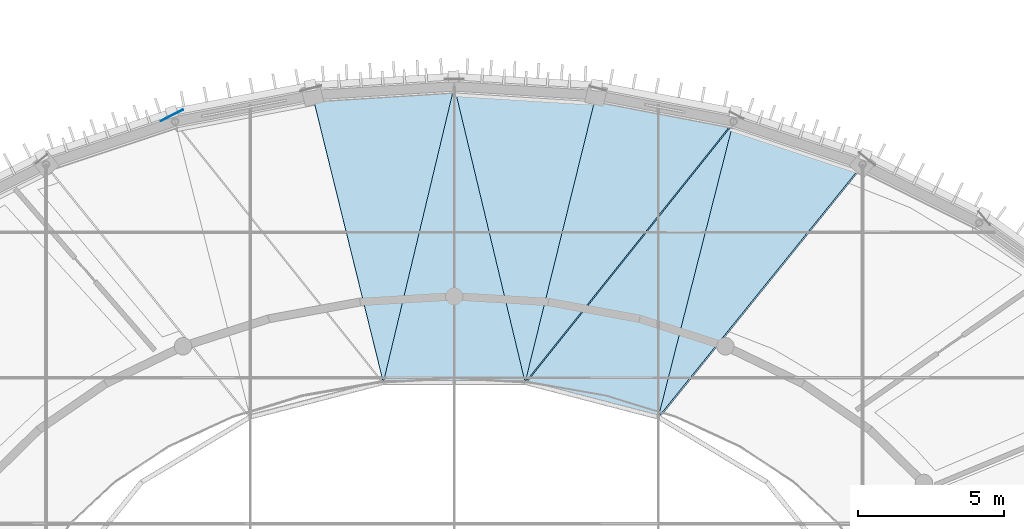
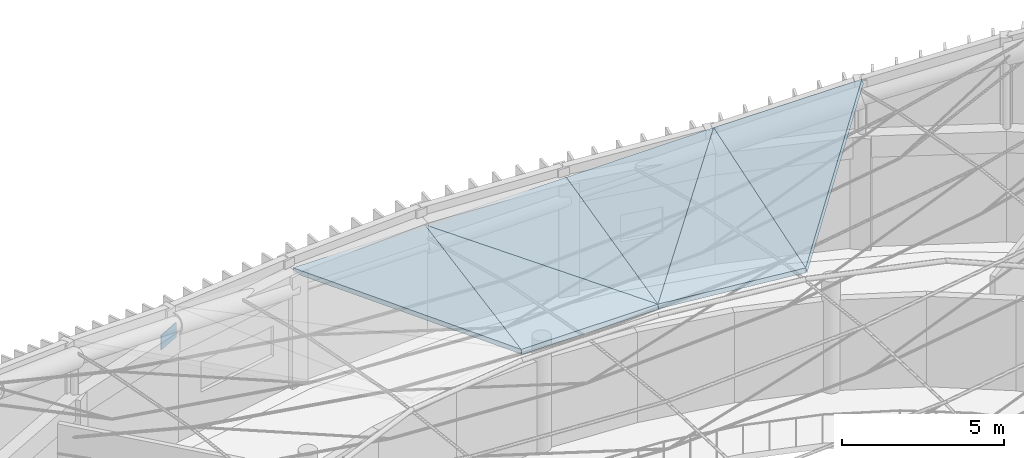
# One storey, part 19 of 36: 6 slabs, 1 plate.
"""IFC4 building model written with IfcOpenShell, lengths in metres."""

import ifcopenshell
import ifcopenshell.guid

model = None  # the IFC model being written
_history = None  # IfcOwnerHistory: only IFC2X3 demands one
_inside = {}  # id of a spatial element -> (the spatial element, [elements in it])
_under = {}  # id of a project, library or spatial element -> (it, [spatial elements below it])
_declared = {}  # id of a project -> (the project, [libraries it declares])
_typed = {}  # id of a type object -> (the type object, [elements of that type])
_made_of = {}  # id of a material, layer set ... -> (it, [elements and type objects made of it])


def new_model(schema):
    """Start an empty IFC model of exactly this schema.

    Asked for "IFC4X3", IfcOpenShell would pick the latest addendum, in which some entities
    have other attributes; the version numbers below select the first issue.
    IFC2X3 requires an IfcOwnerHistory on every rooted entity: one is made here for all.
    """
    global model, _history
    if schema == "IFC4X3":
        model = ifcopenshell.file(schema_version=(4, 3, 0, 0))
    else:
        model = ifcopenshell.file(schema=schema)
    _inside.clear()
    _under.clear()
    _declared.clear()
    _typed.clear()
    _made_of.clear()
    _history = None
    if model.schema == "IFC2X3":
        org = make("IfcOrganization", Name="unknown")
        user = make(
            "IfcPersonAndOrganization",
            ThePerson=make("IfcPerson", FamilyName="unknown"),
            TheOrganization=org,
        )
        app = make(
            "IfcApplication",
            ApplicationDeveloper=org,
            Version="unknown",
            ApplicationFullName="unknown",
            ApplicationIdentifier="unknown",
        )
        _history = make(
            "IfcOwnerHistory",
            OwningUser=user,
            OwningApplication=app,
            ChangeAction="ADDED",
            CreationDate=0,
        )
    return model


def make(cls, **values):
    """One entity of the class cls with the attributes given. An attribute that is None is left unset."""
    return model.create_entity(
        cls, **{name: value for name, value in values.items() if value is not None}
    )


def rooted(cls, **values):
    """An entity with a GlobalId (a new one), such as an element, a storey or a relation."""
    return make(cls, GlobalId=ifcopenshell.guid.new(), OwnerHistory=_history, **values)


def si_unit(unit_type, name, prefix=None):
    """IfcSIUnit, for example si_unit("LENGTHUNIT", "METRE", prefix="MILLI")."""
    return make("IfcSIUnit", UnitType=unit_type, Prefix=prefix, Name=name)


def assignment(units):
    """IfcUnitAssignment: the units of a project."""
    return None if units is None else make("IfcUnitAssignment", Units=units)


def point(xyz):
    """IfcCartesianPoint."""
    return None if xyz is None else make("IfcCartesianPoint", Coordinates=xyz)


def direction(xyz):
    """IfcDirection."""
    return None if xyz is None else make("IfcDirection", DirectionRatios=xyz)


def frame(location, z_axis=None, x_axis=None):
    """IfcAxis2Placement3D, a coordinate frame: its origin and axes. An axis left out is left unset."""
    return make(
        "IfcAxis2Placement3D",
        Location=point(location),
        Axis=direction(z_axis),
        RefDirection=direction(x_axis),
    )


def frame_2d(location, x_axis=None):
    """IfcAxis2Placement2D, a coordinate frame in the plane: its origin and x axis."""
    return make(
        "IfcAxis2Placement2D", Location=point(location), RefDirection=direction(x_axis)
    )


def origin():
    """The frame at (0, 0, 0) with its axes left unset."""
    return frame((0.0, 0.0, 0.0))


def origin_2d():
    """The frame at (0, 0) in the plane with its x axis left unset."""
    return frame_2d((0.0, 0.0))


def place(relative_to, where):
    """IfcLocalPlacement: puts the frame where relative to a parent placement (None: the world)."""
    return make(
        "IfcLocalPlacement", PlacementRelTo=relative_to, RelativePlacement=where
    )


def context(
    kind, dimensions, precision=None, world=None, true_north=None, identifier=None
):
    """IfcGeometricRepresentationContext, for example the 3D "Model" context."""
    return make(
        "IfcGeometricRepresentationContext",
        ContextIdentifier=identifier,
        ContextType=kind,
        CoordinateSpaceDimension=dimensions,
        Precision=precision,
        WorldCoordinateSystem=world,
        TrueNorth=true_north,
    )


def subcontext(parent, identifier, kind, view, scale=None):
    """IfcGeometricRepresentationSubContext, for example "Body" below "Model"."""
    return make(
        "IfcGeometricRepresentationSubContext",
        ContextIdentifier=identifier,
        ContextType=kind,
        ParentContext=parent,
        TargetScale=scale,
        TargetView=view,
    )


def project(units=None, contexts=None):
    """IfcProject with its units and contexts."""
    return rooted(
        "IfcProject",
        Name="project",
        RepresentationContexts=contexts,
        UnitsInContext=assignment(units),
    )


def spatial(cls, under=None, at=None, **own):
    """A site, building, storey or space (cls), placed at a placement, below another one or the project."""
    s = rooted(cls, ObjectPlacement=at, **own)
    if under is not None:
        _under.setdefault(under.id(), (under, []))[1].append(s)
    return s


def polyline(points):
    """IfcPolyline through the points."""
    return make("IfcPolyline", Points=[point(p) for p in points])


def profile(cls, at=None, kind="AREA", **sizes):
    """A parametric profile (cls). Its sizes go by their IFC names, for example OverallWidth=200.0."""
    return make(cls, ProfileType=kind, Position=at, **sizes)


def rectangle(**sizes):
    """IfcRectangleProfileDef."""
    return profile("IfcRectangleProfileDef", **sizes)


def outline(outer, holes=None, kind="AREA"):
    """IfcArbitraryClosedProfileDef: a profile drawn as a closed curve; with holes, ...WithVoids."""
    if holes is None:
        return make("IfcArbitraryClosedProfileDef", ProfileType=kind, OuterCurve=outer)
    return make(
        "IfcArbitraryProfileDefWithVoids",
        ProfileType=kind,
        OuterCurve=outer,
        InnerCurves=holes,
    )


def extrude(swept, where, along, depth):
    """IfcExtrudedAreaSolid: the profile swept, set in the frame where, extruded along a direction by depth."""
    return make(
        "IfcExtrudedAreaSolid",
        SweptArea=swept,
        Position=where,
        ExtrudedDirection=direction(along),
        Depth=depth,
    )


def shape(context_of_items, identifier, shape_type, items):
    """IfcShapeRepresentation: the items that make up one representation, for example the "Body"."""
    return make(
        "IfcShapeRepresentation",
        ContextOfItems=context_of_items,
        RepresentationIdentifier=identifier,
        RepresentationType=shape_type,
        Items=items,
    )


def material(Name=None, Category=None):
    """IfcMaterial."""
    return make("IfcMaterial", Name=Name, Category=Category)


def layer(
    of_material, thickness, ventilated=None, Name=None, Category=None, Priority=None
):
    """IfcMaterialLayer: one layer of a wall or slab, of a material (None: an air gap)."""
    return make(
        "IfcMaterialLayer",
        Material=of_material,
        LayerThickness=thickness,
        IsVentilated=ventilated,
        Name=Name,
        Category=Category,
        Priority=Priority,
    )


def layer_set(layers, Name=None):
    """IfcMaterialLayerSet."""
    return make("IfcMaterialLayerSet", MaterialLayers=layers, LayerSetName=Name)


def made_of(thing, what):
    """Note that an element or type object is made of a material, layer set ...; save() writes the relation."""
    if what is not None:
        _made_of.setdefault(what.id(), (what, []))[1].append(thing)
    return thing


def type_object(cls, material=None, **own):
    """A type object (cls), such as IfcWallType, which elements share."""
    return made_of(rooted(cls, **own), material)


def element(
    cls,
    number,
    at=None,
    inside=None,
    cuts=None,
    type_object=None,
    material=None,
    context=None,
    identifier="Body",
    shape_type=None,
    held_by="IfcProductDefinitionShape",
    body=None,
    shapes=None,
    **own,
):
    """One element of the class cls, such as IfcWall. Its Tag is "e" and its number.

    at: its placement. inside: the storey or other place that contains it. cuts: it is an
    opening in that element (IfcRelVoidsElement). A single representation is given by context,
    identifier, shape_type and body (its items); several are given by shapes. held_by: the class
    of the entity that holds the representations. save() writes the other relations.
    """
    e = rooted(cls, Tag="e%d" % number, ObjectPlacement=at, **own)
    if body is not None:
        shapes = [shape(context, identifier, shape_type, body)]
    if shapes is not None:
        e.Representation = make(held_by, Representations=shapes)
    if inside is not None:
        _inside.setdefault(inside.id(), (inside, []))[1].append(e)
    if cuts is not None:
        rooted(
            "IfcRelVoidsElement", RelatingBuildingElement=cuts, RelatedOpeningElement=e
        )
    if type_object is not None:
        _typed.setdefault(type_object.id(), (type_object, []))[1].append(e)
    return made_of(e, material)


def aggregate(whole, parts):
    """IfcRelAggregates: a whole, such as a stair, and the parts it consists of."""
    return rooted("IfcRelAggregates", RelatingObject=whole, RelatedObjects=parts)


def save(model, path):
    """Write the relations noted so far, then the file.

    IfcRelAggregates (storeys below a building ...), IfcRelContainedInSpatialStructure (elements
    in a storey), IfcRelDefinesByType, IfcRelAssociatesMaterial and IfcRelDeclares: one each for
    every whole, place, type object, material and project.
    """
    for whole, parts in _under.values():
        aggregate(whole, parts)
    for where, things in _inside.values():
        rooted(
            "IfcRelContainedInSpatialStructure",
            RelatedElements=things,
            RelatingStructure=where,
        )
    for kind, things in _typed.values():
        rooted("IfcRelDefinesByType", RelatedObjects=things, RelatingType=kind)
    for what, things in _made_of.values():
        rooted("IfcRelAssociatesMaterial", RelatedObjects=things, RelatingMaterial=what)
    for by, libraries in _declared.values():
        rooted("IfcRelDeclares", RelatingContext=by, RelatedDefinitions=libraries)
    model.write(path)


model = new_model("IFC4")

# Units and contexts
model_context = context("Model", 3, precision=1e-05, world=origin(), true_north=direction((0.0, 1.0)))
body_context = subcontext(model_context, "Body", "Model", "MODEL_VIEW")
ifc_project = project(units=[si_unit("LENGTHUNIT", "METRE"), si_unit("AREAUNIT", "SQUARE_METRE"), si_unit("VOLUMEUNIT", "CUBIC_METRE"), si_unit("PLANEANGLEUNIT", "RADIAN"), si_unit("MASSUNIT", "GRAM", prefix="KILO")], contexts=[model_context])

# Site, building, storey
site_placement = place(None, origin())
site = spatial("IfcSite", under=ifc_project, at=site_placement, CompositionType="ELEMENT")
building_placement = place(site_placement, origin())
building = spatial("IfcBuilding", under=site, at=building_placement, Name="Tarnveldt Headland Concert Hall", CompositionType="ELEMENT")
storey_placement = place(building_placement, frame((0.0, 0.0, 22.800048828125)))
storey = spatial("IfcBuildingStorey", under=building, at=storey_placement, Name="L05", CompositionType="ELEMENT", Elevation=22.800048828125)

# Plate
ifc_material_1 = material(Name="Steel S355", Category="steel")
ifc_layer_1 = layer(ifc_material_1, 0.028076171875, Name="Steel S355", Category="steel")
ifc_layer_set_1 = layer_set([ifc_layer_1], Name="Steel S355")
plate_type = type_object("IfcPlateType", Name="NP-04", PredefinedType="SHEET", material=ifc_layer_set_1)
plate_placement = place(storey_placement, frame((73.814453125, 73.5078125, 3.52490234375), z_axis=(0.0, 0.0, 1.0), x_axis=(-0.891006524188, -0.45399049974, 0.0)))
element("IfcPlate", 1, at=plate_placement, inside=storey, type_object=plate_type, Name="Ring-beam cable anchorage plate 12", PredefinedType="SHEET", context=body_context, shape_type="SweptSolid", body=[
    extrude(rectangle(XDim=0.85009765625, YDim=0.028076171875, at=origin_2d()), origin(), (0.0, 0.0, 1.0), 0.550048828125),
])

# Slabs
ifc_material_2 = material(Name="Concrete C40/50", Category="concrete")
ifc_layer_2 = layer(ifc_material_2, 0.1650390625, Name="Concrete C40/50", Category="concrete")
ifc_layer_set_2 = layer_set([ifc_layer_2], Name="Concrete C40/50")
slab_type_1 = type_object("IfcSlabType", Name="SL-RF165", PredefinedType="ROOF", material=ifc_layer_set_2)
slab_1_placement = place(storey_placement, frame((90.5, 63.160400390625, 6.800048828125), z_axis=(-0.055657999432, 0.185582629572, 0.981051107079), x_axis=(0.242969296916, 0.955554918237, -0.166975204712)))
element("IfcSlab", 2, at=slab_1_placement, inside=storey, type_object=slab_type_1, Name="Symphony saddle roof outer facet 11", PredefinedType="ROOF", context=body_context, shape_type="SweptSolid", body=[
    extrude(outline(polyline([(0.0, 0.0), (10.604879665699226, 1.3877787807814457e-16), (0.10566213634877798, 4.744268849794982), (0.0, 0.0)])), origin(), (0.0, 0.0, -1.0), 0.1650390625),
])
slab_2_placement = place(storey_placement, frame((85.93115234375, 64.34814453125, 6.316162109375), z_axis=(-0.039918682847, 0.213162153256, 0.976201001423), x_axis=(0.234892866841, 0.951602738036, -0.198185695925)))
element("IfcSlab", 3, at=slab_2_placement, inside=storey, type_object=slab_type_1, Name="Symphony saddle roof outer facet 13", PredefinedType="ROOF", context=body_context, shape_type="SweptSolid", body=[
    extrude(outline(polyline([(0.0, 0.0), (10.349008191773652, 4.163336342344337e-16), (9.548503315981844, 4.812625324965429), (0.0, 0.0)])), origin(), (0.0, 0.0, -1.0), 0.1650390625),
])
slab_3_placement = place(storey_placement, frame((81.06884765625, 64.34814453125, 6.316162109375), z_axis=(0.039918682847, 0.213162153256, 0.976201001423), x_axis=(0.227364181452, 0.949413275068, -0.216610161622)))
element("IfcSlab", 4, at=slab_3_placement, inside=storey, type_object=slab_type_1, Name="Symphony saddle roof outer facet 15", PredefinedType="ROOF", context=body_context, shape_type="SweptSolid", body=[
    extrude(outline(polyline([(0.0, 0.0), (10.692767560076057, -1.4224732503009818e-16), (9.241530640321061, 4.657905320785848), (0.0, 0.0)])), origin(), (0.0, 0.0, -1.0), 0.1650390625),
])
ifc_layer_3 = layer(ifc_material_2, 0.175048828125, Name="Concrete C40/50", Category="concrete")
ifc_layer_set_3 = layer_set([ifc_layer_3], Name="Concrete C40/50")
slab_type_2 = type_object("IfcSlabType", Name="SL-RF175", PredefinedType="ROOF", material=ifc_layer_set_3)
slab_4_placement = place(storey_placement, frame((90.5, 63.160400390625, 6.800048828125), z_axis=(-0.182635787117, 0.214117783321, 0.959582067428), x_axis=(0.627712007216, 0.776583437499, -0.053812643476)))
element("IfcSlab", 5, at=slab_4_placement, inside=storey, type_object=slab_type_2, Name="Symphony saddle roof outer facet 10", PredefinedType="ROOF", context=body_context, shape_type="SweptSolid", body=[
    extrude(outline(polyline([(0.0, 0.0), (11.151610801648827, -6.661338147750939e-16), (9.582232511616395, 4.543599103935406), (0.0, 0.0)])), origin(), (0.0, 0.0, -1.0), 0.175048828125),
])
slab_5_placement = place(storey_placement, frame((85.93115234375, 64.34814453125, 6.316162109375), z_axis=(-0.112836496699, 0.22920646754, 0.966815556479), x_axis=(0.620196746036, 0.776453777786, -0.111693899424)))
element("IfcSlab", 6, at=slab_5_placement, inside=storey, type_object=slab_type_2, Name="Symphony saddle roof outer facet 12", PredefinedType="ROOF", context=body_context, shape_type="SweptSolid", body=[
    extrude(outline(polyline([(0.0, 0.0), (11.521356502068437, -1.27675647831893e-15), (9.383357406658325, 4.365154559956441), (0.0, 0.0)])), origin(), (0.0, 0.0, -1.0), 0.175048828125),
])
slab_6_placement = place(storey_placement, frame((85.93115234375, 64.34814453125, 6.316162109375), z_axis=(0.0, 0.22243579942, 0.974947339673), x_axis=(-0.227364181452, 0.949413275068, -0.216610161622)))
element("IfcSlab", 7, at=slab_6_placement, inside=storey, type_object=slab_type_2, Name="Symphony saddle roof outer facet 14", PredefinedType="ROOF", context=body_context, shape_type="SweptSolid", body=[
    extrude(outline(polyline([(0.0, 0.0), (10.692767560076057, 0.0), (1.1055139252422088, 4.734959961306964), (0.0, 0.0)])), origin(), (0.0, 0.0, -1.0), 0.175048828125),
])

save(model, "model.ifc")
